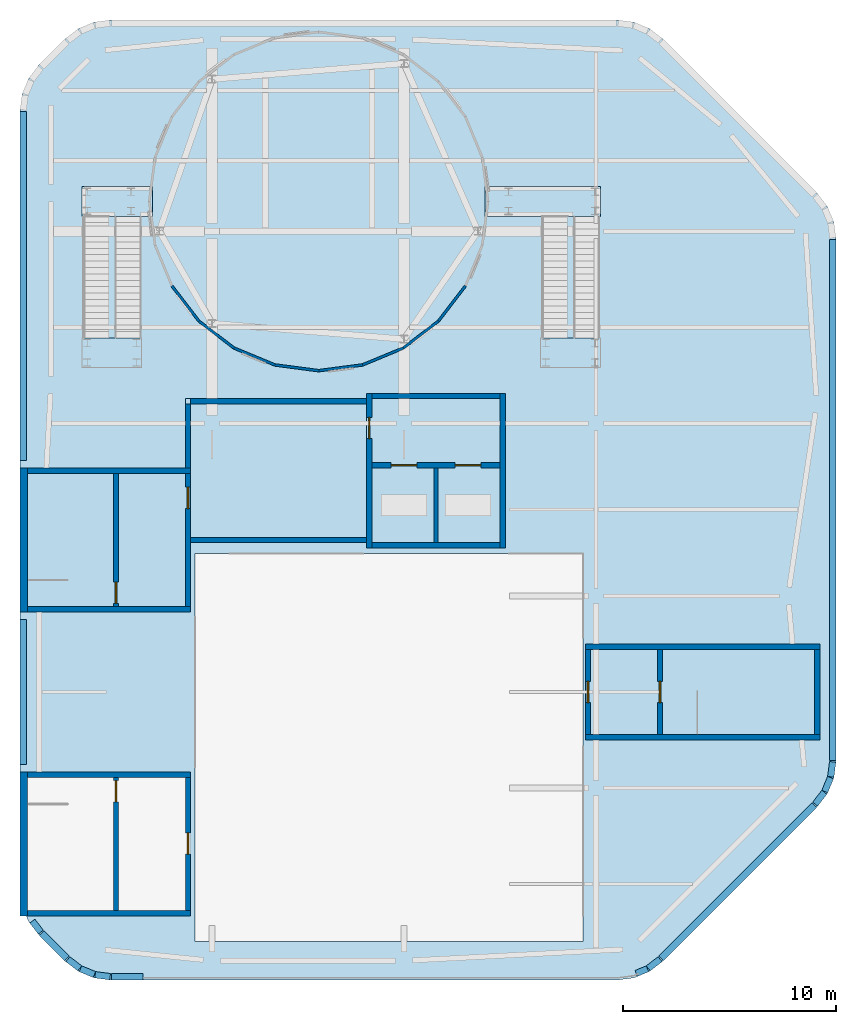
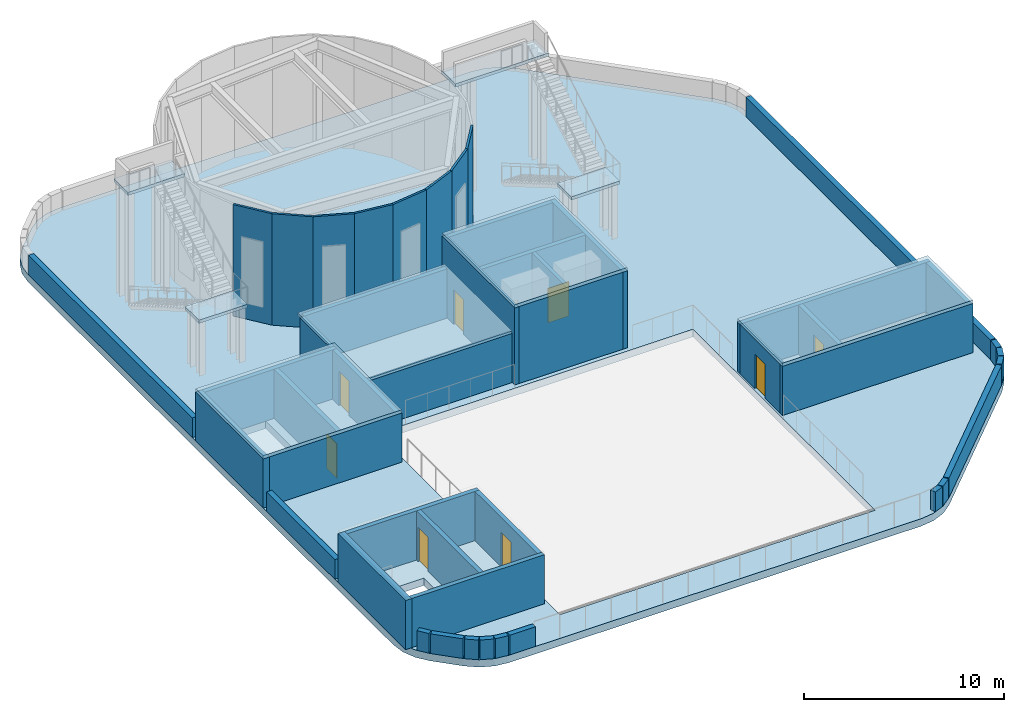
# One storey, part 3 of 6: 47 walls, 9 doors, 9 slabs, 9 openings, 2 elements without a shape of their own.
"""IFC4 building model written with IfcOpenShell, lengths in metres."""

from ifc_helpers import new_model, si_unit, direction, frame, frame_2d, origin, place, context, subcontext, project, spatial, polyline, rectangle, outline, extrude, material, layer, layer_set, type_object, element, fill, aggregate, save


model = new_model("IFC4")

# Units and contexts
model_context = context("Model", 3, precision=1e-05, world=origin(), true_north=direction((0.0, 1.0)))
body_context = subcontext(model_context, "Body", "Model", "MODEL_VIEW")
ifc_project = project(units=[si_unit("LENGTHUNIT", "METRE"), si_unit("AREAUNIT", "SQUARE_METRE"), si_unit("VOLUMEUNIT", "CUBIC_METRE"), si_unit("PLANEANGLEUNIT", "RADIAN"), si_unit("MASSUNIT", "GRAM", prefix="KILO")], contexts=[model_context])

# Site, building, storey
site_placement = place(None, origin())
site = spatial("IfcSite", under=ifc_project, at=site_placement, CompositionType="ELEMENT")
building_placement = place(site_placement, origin())
building = spatial("IfcBuilding", under=site, at=building_placement, Name="Cinnabar Reach Civic Tower", CompositionType="ELEMENT")
storey_placement = place(building_placement, frame((0.0, 0.0, 298.0)))
storey = spatial("IfcBuildingStorey", under=building, at=storey_placement, Name="Roof", CompositionType="ELEMENT", Elevation=298.0)

# Slabs
ifc_material_1 = material(Name="Concrete C40", Category="concrete")
ifc_layer_1 = layer(ifc_material_1, 0.2)
ifc_layer_set_1 = layer_set([ifc_layer_1], Name="Facade head-house roof slab 200")
slab_type_1 = type_object("IfcSlabType", Name="Facade head-house roof slab 200", PredefinedType="ROOF", material=ifc_layer_set_1)
slab_1_placement = place(storey_placement, frame((0.0, 0.0, 3.0)))
element("IfcSlab", 1, at=slab_1_placement, inside=storey, type_object=slab_type_1, Name="Head-house roof slab", PredefinedType="ROOF", context=body_context, shape_type="SweptSolid", body=[
    extrude(outline(polyline([(0.0, 35.25), (8.0, 35.25), (8.0, 42.0), (0.0, 42.0), (0.0, 35.25)])), origin(), (0.0, 0.0, 1.0), 0.2),
])
slab_2_placement = place(storey_placement, frame((0.0, 0.0, 3.0)))
element("IfcSlab", 2, at=slab_2_placement, inside=storey, type_object=slab_type_1, Name="Head-house roof slab", PredefinedType="ROOF", context=body_context, shape_type="SweptSolid", body=[
    extrude(outline(polyline([(26.5, 29.25), (37.5, 29.25), (37.5, 33.75), (26.5, 33.75), (26.5, 29.25)])), origin(), (0.0, 0.0, 1.0), 0.2),
])
slab_3_placement = place(storey_placement, frame((0.0, 0.0, 4.7)))
element("IfcSlab", 3, at=slab_3_placement, inside=storey, type_object=slab_type_1, Name="Head-house roof slab", PredefinedType="ROOF", context=body_context, shape_type="SweptSolid", body=[
    extrude(outline(polyline([(16.25, 38.25), (22.75, 38.25), (22.75, 45.5), (16.25, 45.5), (16.25, 38.25)])), origin(), (0.0, 0.0, 1.0), 0.2),
])
ifc_layer_2 = layer(ifc_material_1, 0.45)
ifc_layer_set_2 = layer_set([ifc_layer_2], Name="Roof slab 450 REI 150")
slab_type_2 = type_object("IfcSlabType", Name="Roof slab 450 REI 150", PredefinedType="ROOF", material=ifc_layer_set_2)
slab_4_placement = place(storey_placement, frame((0.0, 0.0, -0.45)))
element("IfcSlab", 4, at=slab_4_placement, inside=storey, type_object=slab_type_2, Name="Roof slab 450 T1 Roof", PredefinedType="ROOF", context=body_context, shape_type="SweptSolid", body=[
    extrude(outline(polyline([(0.8787, 20.1213), (0.4019, 20.7426), (0.1022, 21.4662), (0.0, 22.2426), (0.0, 58.7574), (0.1022, 59.5338), (0.4019, 60.2574), (0.8787, 60.8787), (2.1213, 62.1213), (2.7426, 62.5981), (3.4662, 62.8978), (4.2426, 63.0), (28.0074, 63.0), (28.7838, 62.8978), (29.5074, 62.5981), (30.1287, 62.1213), (37.3713, 54.8787), (37.8481, 54.2574), (38.1478, 53.5338), (38.25, 52.7574), (38.25, 28.2426), (38.1478, 27.4662), (37.8481, 26.7426), (37.3713, 26.1213), (30.1287, 18.8787), (29.5074, 18.4019), (28.7838, 18.1022), (28.0074, 18.0), (4.2426, 18.0), (3.4662, 18.1022), (2.7426, 18.4019), (2.1213, 18.8787), (0.8787, 20.1213)]), holes=[polyline([(26.4, 38.0), (8.2, 38.0), (8.2, 19.8), (26.4, 19.8), (26.4, 38.0)]), polyline([(0.36, 21.25), (3.9, 21.25), (3.9, 25.948), (0.36, 25.948), (0.36, 21.25)]), polyline([(0.36, 37.052), (3.9, 37.052), (3.9, 41.75), (0.36, 41.75), (0.36, 37.052)]), polyline([(32.052, 29.5), (37.25, 29.5), (37.25, 33.5), (32.052, 33.5), (32.052, 29.5)])]), origin(), (0.0, 0.0, 1.0), 0.45),
])

# Stair, slabs
ifc_material_2 = material(Name="Concrete C40/50", Category="concrete")
stair_type = type_object("IfcStairType", Name="T1 Exit stair, half-turn", PredefinedType="HALF_TURN_STAIR", material=ifc_material_2)
stair_1_placement = place(storey_placement, origin())
stair_1 = element("IfcStair", 5, at=stair_1_placement, inside=storey, type_object=stair_type, Name="Stair T1-RS1", PredefinedType="HALF_TURN_STAIR")
ifc_layer_3 = layer(ifc_material_2, 0.2)
ifc_layer_set_3 = layer_set([ifc_layer_3], Name="T1 Stair landing 200, Concrete C40/50")
slab_type_3 = type_object("IfcSlabType", Name="T1 Stair landing 200, Concrete C40/50", PredefinedType="LANDING", material=ifc_layer_set_3)
slab_5_placement = place(storey_placement, frame((0.0, 0.0, 3.3)))
slab_5 = element("IfcSlab", 6, at=slab_5_placement, type_object=slab_type_3, Name="T1-RS1 landing 1", PredefinedType="LANDING", context=body_context, shape_type="SweptSolid", body=[
    extrude(outline(polyline([(5.7, 46.7), (5.7, 48.1), (2.9, 48.1), (2.9, 46.7), (5.7, 46.7)])), origin(), (0.0, 0.0, 1.0), 0.2),
])
slab_6_placement = place(storey_placement, frame((0.0, 0.0, 6.8)))
slab_6 = element("IfcSlab", 7, at=slab_6_placement, type_object=slab_type_3, Name="T1-RS1 landing 2", PredefinedType="LANDING", context=body_context, shape_type="SweptSolid", body=[
    extrude(outline(polyline([(6.2, 53.8), (6.2, 55.2), (2.9, 55.2), (2.9, 53.8), (6.2, 53.8)])), origin(), (0.0, 0.0, 1.0), 0.2),
])
aggregate(stair_1, [slab_5, slab_6])

stair_2_placement = place(storey_placement, origin())
stair_2 = element("IfcStair", 8, at=stair_2_placement, inside=storey, type_object=stair_type, Name="Stair T1-RS2", PredefinedType="HALF_TURN_STAIR")
slab_7_placement = place(storey_placement, frame((0.0, 0.0, 3.3)))
slab_7 = element("IfcSlab", 9, at=slab_7_placement, type_object=slab_type_3, Name="T1-RS2 landing 1", PredefinedType="LANDING", context=body_context, shape_type="SweptSolid", body=[
    extrude(outline(polyline([(27.2, 46.7), (27.2, 48.1), (24.4, 48.1), (24.4, 46.7), (27.2, 46.7)])), origin(), (0.0, 0.0, 1.0), 0.2),
])
slab_8_placement = place(storey_placement, frame((0.0, 0.0, 6.8)))
slab_8 = element("IfcSlab", 10, at=slab_8_placement, type_object=slab_type_3, Name="T1-RS2 landing 2", PredefinedType="LANDING", context=body_context, shape_type="SweptSolid", body=[
    extrude(outline(polyline([(27.2, 53.8), (27.2, 55.2), (21.8, 55.2), (21.8, 53.8), (27.2, 53.8)])), origin(), (0.0, 0.0, 1.0), 0.2),
])
aggregate(stair_2, [slab_7, slab_8])

# Slab
ifc_layer_4 = layer(ifc_material_1, 0.15)
ifc_layer_set_4 = layer_set([ifc_layer_4], Name="T1 roof walkway slab 150")
slab_type_4 = type_object("IfcSlabType", Name="T1 roof walkway slab 150", PredefinedType="ROOF", material=ifc_layer_set_4)
slab_9_placement = place(storey_placement, frame((0.0, 0.0, 3.0)))
element("IfcSlab", 11, at=slab_9_placement, inside=storey, type_object=slab_type_4, Name="Roof walkway slab", PredefinedType="ROOF", context=body_context, shape_type="SweptSolid", body=[
    extrude(outline(polyline([(8.0, 38.5), (16.25, 38.5), (16.25, 45.25), (7.75, 45.25), (7.75, 42.0), (8.0, 42.0), (8.0, 38.5)])), origin(), (0.0, 0.0, 1.0), 0.15),
])

# Walls
ifc_material_3 = material(Name="Facing brick with insulated backing", Category="masonry")
ifc_layer_5 = layer(ifc_material_3, 0.3)
ifc_layer_set_5 = layer_set([ifc_layer_5], Name="Facade brick parapet")
wall_type_1 = type_object("IfcWallType", Name="Facade brick parapet", PredefinedType="PARAPET", material=ifc_layer_set_5)
for number, where, z_axis, x_axis, name in (
    (12, (2.2444, 18.9733, 0.0), (0.0, 0.0, 1.0), (0.793363639817, -0.60874800617, 0.0), "Brick parapet"),
    (13, (2.837, 18.5252, 0.0), (0.0, 0.0, 1.0), (0.923866021052, -0.382716050285, 0.0), "Brick parapet"),
):
    element("IfcWall", number, at=place(storey_placement, frame(where, z_axis=z_axis, x_axis=x_axis)), inside=storey, type_object=wall_type_1, Name=name, PredefinedType="PARAPET", context=body_context, shape_type="SweptSolid", body=[
        extrude(rectangle(XDim=0.7031, YDim=0.3, at=frame_2d((0.3515, 0.0))), origin(), (0.0, 0.0, 1.0), 1.2),
    ])
wall_1_placement = place(storey_placement, frame((3.5254, 18.2457, 0.0), z_axis=(0.0, 0.0, 1.0), x_axis=(0.991442675262, -0.130542796312, 0.0)))
element("IfcWall", 14, at=wall_1_placement, inside=storey, type_object=wall_type_1, Name="Brick parapet", PredefinedType="PARAPET", context=body_context, shape_type="SweptSolid", body=[
    extrude(rectangle(XDim=0.7032, YDim=0.3, at=frame_2d((0.3516, 0.0))), origin(), (0.0, 0.0, 1.0), 1.2),
])
wall_2_placement = place(storey_placement, frame((4.2826, 18.15, 0.0), z_axis=(0.0, 0.0, 1.0), x_axis=(1.0, 0.0, 0.0)))
element("IfcWall", 15, at=wall_2_placement, inside=storey, type_object=wall_type_1, Name="Brick parapet", PredefinedType="PARAPET", context=body_context, shape_type="SweptSolid", body=[
    extrude(rectangle(XDim=1.4818, YDim=0.3, at=frame_2d((0.7409, 0.0))), origin(), (0.0, 0.0, 1.0), 1.2),
])
wall_3_placement = place(storey_placement, frame((28.8857, 18.3068, 0.0), z_axis=(0.0, 0.0, 1.0), x_axis=(0.923888707417, 0.382661281433, 0.0)))
element("IfcWall", 16, at=wall_3_placement, inside=storey, type_object=wall_type_1, Name="Brick parapet", PredefinedType="PARAPET", context=body_context, shape_type="SweptSolid", body=[
    extrude(rectangle(XDim=0.5707, YDim=0.3, at=frame_2d((0.2853, 0.0))), origin(), (0.0, 0.0, 1.0), 1.2),
])
wall_4_placement = place(storey_placement, frame((29.4478, 18.5453, 0.0), z_axis=(0.0, 0.0, 1.0), x_axis=(0.793363639817, 0.60874800617, 0.0)))
element("IfcWall", 17, at=wall_4_placement, inside=storey, type_object=wall_type_1, Name="Brick parapet", PredefinedType="PARAPET", context=body_context, shape_type="SweptSolid", body=[
    extrude(rectangle(XDim=0.7031, YDim=0.3, at=frame_2d((0.3515, 0.0))), origin(), (0.0, 0.0, 1.0), 1.2),
])
wall_5_placement = place(storey_placement, frame((30.0509, 19.013, 0.0), z_axis=(0.0, 0.0, 1.0), x_axis=(0.707106781187, 0.707106781187, 0.0)))
element("IfcWall", 18, at=wall_5_placement, inside=storey, type_object=wall_type_1, Name="Brick parapet", PredefinedType="PARAPET", context=body_context, shape_type="SweptSolid", body=[
    extrude(rectangle(XDim=10.1627, YDim=0.3, at=frame_2d((5.0813, 0.0))), origin(), (0.0, 0.0, 1.0), 1.2),
])
for number, where, z_axis, x_axis, name in (
    (19, (37.2767, 26.2444, 0.0), (0.0, 0.0, 1.0), (0.60874800617, 0.793363639817, 0.0), "Brick parapet"),
    (20, (37.7248, 26.837, 0.0), (0.0, 0.0, 1.0), (0.382716050285, 0.923866021052, 0.0), "Brick parapet"),
):
    element("IfcWall", number, at=place(storey_placement, frame(where, z_axis=z_axis, x_axis=x_axis)), inside=storey, type_object=wall_type_1, Name=name, PredefinedType="PARAPET", context=body_context, shape_type="SweptSolid", body=[
        extrude(rectangle(XDim=0.7031, YDim=0.3, at=frame_2d((0.3515, 0.0))), origin(), (0.0, 0.0, 1.0), 1.2),
    ])
wall_6_placement = place(storey_placement, frame((38.0043, 27.5254, 0.0), z_axis=(0.0, 0.0, 1.0), x_axis=(0.130542796312, 0.991442675262, 0.0)))
element("IfcWall", 21, at=wall_6_placement, inside=storey, type_object=wall_type_1, Name="Brick parapet", PredefinedType="PARAPET", context=body_context, shape_type="SweptSolid", body=[
    extrude(rectangle(XDim=0.7032, YDim=0.3, at=frame_2d((0.3516, 0.0))), origin(), (0.0, 0.0, 1.0), 1.2),
])
wall_7_placement = place(storey_placement, frame((38.1, 28.2826, 0.0), z_axis=(0.0, 0.0, 1.0), x_axis=(0.0, 1.0, 0.0)))
element("IfcWall", 22, at=wall_7_placement, inside=storey, type_object=wall_type_1, Name="Brick parapet", PredefinedType="PARAPET", context=body_context, shape_type="SweptSolid", body=[
    extrude(rectangle(XDim=24.4348, YDim=0.3, at=frame_2d((12.2174, 0.0))), origin(), (0.0, 0.0, 1.0), 1.2),
])
wall_8_placement = place(storey_placement, frame((0.15, 58.7174, 0.0), z_axis=(0.0, 0.0, 1.0), x_axis=(0.0, -1.0, 0.0)))
element("IfcWall", 23, at=wall_8_placement, inside=storey, type_object=wall_type_1, Name="Brick parapet", PredefinedType="PARAPET", context=body_context, shape_type="SweptSolid", body=[
    extrude(rectangle(XDim=16.3774, YDim=0.3, at=frame_2d((8.1887, 0.0))), origin(), (0.0, 0.0, 1.0), 1.2),
])
wall_9_placement = place(storey_placement, frame((0.15, 34.91, 0.0), z_axis=(0.0, 0.0, 1.0), x_axis=(0.0, -1.0, 0.0)))
element("IfcWall", 24, at=wall_9_placement, inside=storey, type_object=wall_type_1, Name="Brick parapet", PredefinedType="PARAPET", context=body_context, shape_type="SweptSolid", body=[
    extrude(rectangle(XDim=6.82, YDim=0.3, at=frame_2d((3.41, 0.0))), origin(), (0.0, 0.0, 1.0), 1.2),
])
wall_10_placement = place(storey_placement, frame((0.578, 20.7596, 0.0), z_axis=(0.0, 0.0, 1.0), x_axis=(0.608735390594, -0.793373319591, 0.0)))
element("IfcWall", 25, at=wall_10_placement, inside=storey, type_object=wall_type_1, Name="Brick parapet", PredefinedType="PARAPET", context=body_context, shape_type="SweptSolid", body=[
    extrude(rectangle(XDim=0.6494, YDim=0.3, at=frame_2d((0.3247, 0.0))), origin(), (0.0, 0.0, 1.0), 1.2),
])
wall_11_placement = place(storey_placement, frame((1.013, 20.1991, 0.0), z_axis=(0.0, 0.0, 1.0), x_axis=(0.707106781187, -0.707106781187, 0.0)))
element("IfcWall", 26, at=wall_11_placement, inside=storey, type_object=wall_type_1, Name="Brick parapet", PredefinedType="PARAPET", context=body_context, shape_type="SweptSolid", body=[
    extrude(rectangle(XDim=1.6774, YDim=0.3, at=frame_2d((0.8387, 0.0))), origin(), (0.0, 0.0, 1.0), 1.2),
])
ifc_layer_6 = layer(ifc_material_1, 0.2)
ifc_layer_set_6 = layer_set([ifc_layer_6], Name="Facade head-house wall 200")
wall_type_2 = type_object("IfcWallType", Name="Facade head-house wall 200", PredefinedType="STANDARD", material=ifc_layer_set_6)
wall_12_placement = place(storey_placement, frame((19.5, 38.5, 0.0), z_axis=(0.0, 0.0, 1.0), x_axis=(0.0, 1.0, 0.0)))
element("IfcWall", 27, at=wall_12_placement, inside=storey, type_object=wall_type_2, Name="Roof head-house wall", PredefinedType="STANDARD", context=body_context, shape_type="SweptSolid", body=[
    extrude(rectangle(XDim=3.5, YDim=0.2, at=frame_2d((1.75, 0.0))), origin(), (0.0, 0.0, 1.0), 4.7),
])
ifc_layer_7 = layer(ifc_material_1, 0.25)
ifc_layer_set_7 = layer_set([ifc_layer_7], Name="Facade head-house wall 250")
wall_type_3 = type_object("IfcWallType", Name="Facade head-house wall 250", PredefinedType="STANDARD", material=ifc_layer_set_7)
for number, where, z_axis, x_axis, name in (
    (28, (0.36, 21.125, 0.0), (0.0, 0.0, 1.0), (1.0, 0.0, 0.0), "Roof head-house wall"),
    (29, (0.36, 27.625, 0.0), (0.0, 0.0, 1.0), (1.0, 0.0, 0.0), "Roof head-house wall"),
):
    element("IfcWall", number, at=place(storey_placement, frame(where, z_axis=z_axis, x_axis=x_axis)), inside=storey, type_object=wall_type_3, Name=name, PredefinedType="STANDARD", context=body_context, shape_type="SweptSolid", body=[
        extrude(rectangle(XDim=7.64, YDim=0.25, at=frame_2d((3.82, 0.0))), origin(), (0.0, 0.0, 1.0), 3.0),
    ])

# Wall, opening, door
wall_13_placement = place(storey_placement, frame((4.5, 21.25, 0.0), z_axis=(0.0, 0.0, 1.0), x_axis=(0.0, 1.0, 0.0)))
wall_13 = element("IfcWall", 30, at=wall_13_placement, inside=storey, type_object=wall_type_3, Name="Roof head-house wall", PredefinedType="STANDARD", context=body_context, shape_type="SweptSolid", body=[
    extrude(rectangle(XDim=6.25, YDim=0.25, at=frame_2d((3.125, 0.0))), origin(), (0.0, 0.0, 1.0), 3.0),
])
opening_1_placement = place(wall_13_placement, frame((5.1, 0.0, 0.0)))
opening_1 = element("IfcOpeningElement", 31, at=opening_1_placement, cuts=wall_13, Name="Opening D5760", PredefinedType="OPENING", context=body_context, shape_type="SweptSolid", body=[
    extrude(rectangle(XDim=1.0, YDim=2.1, at=frame_2d((0.5, 1.05))), frame((0.0, 0.135, 0.0), z_axis=(0.0, -1.0, 0.0), x_axis=(1.0, 0.0, 0.0)), (0.0, 0.0, 1.0), 0.27),
])
ifc_material_4 = material(Name="Timber door leaf in steel frame", Category="steel")
door_type_1 = type_object("IfcDoorType", Name="Stair door 1000 x 2100 T1", OperationType="SINGLE_SWING_LEFT", PredefinedType="DOOR", material=ifc_material_4)
door_1_placement = place(opening_1_placement, origin())
door_1 = element("IfcDoor", 32, at=door_1_placement, inside=storey, type_object=door_type_1, Name="Door D5760", OperationType="SINGLE_SWING_RIGHT", OverallHeight=2.1, OverallWidth=1.0, PredefinedType="DOOR", context=body_context, shape_type="SweptSolid", body=[
    extrude(rectangle(XDim=1.0, YDim=2.1, at=frame_2d((0.5, 1.05))), frame((0.0, 0.025, 0.0), z_axis=(0.0, -1.0, 0.0), x_axis=(1.0, 0.0, 0.0)), (0.0, 0.0, 1.0), 0.05),
])
fill(opening_1, door_1)

wall_14_placement = place(storey_placement, frame((7.875, 21.25, 0.0), z_axis=(0.0, 0.0, 1.0), x_axis=(0.0, 1.0, 0.0)))
wall_14 = element("IfcWall", 33, at=wall_14_placement, inside=storey, type_object=wall_type_3, Name="Roof head-house wall", PredefinedType="STANDARD", context=body_context, shape_type="SweptSolid", body=[
    extrude(rectangle(XDim=6.25, YDim=0.25, at=frame_2d((3.125, 0.0))), origin(), (0.0, 0.0, 1.0), 3.0),
])
opening_2_placement = place(wall_14_placement, frame((2.65, 0.0, 0.0)))
opening_2 = element("IfcOpeningElement", 34, at=opening_2_placement, cuts=wall_14, Name="Opening D5761", PredefinedType="OPENING", context=body_context, shape_type="SweptSolid", body=[
    extrude(rectangle(XDim=1.0, YDim=2.1, at=frame_2d((0.5, 1.05))), frame((0.0, 0.135, 0.0), z_axis=(0.0, -1.0, 0.0), x_axis=(1.0, 0.0, 0.0)), (0.0, 0.0, 1.0), 0.27),
])
door_type_2 = type_object("IfcDoorType", Name="Single swing door 1000 x 2100 T1", OperationType="SINGLE_SWING_LEFT", PredefinedType="DOOR", material=ifc_material_4)
door_2_placement = place(opening_2_placement, frame((1.0, 0.0, 0.0), z_axis=(0.0, 0.0, 1.0), x_axis=(-1.0, 0.0, 0.0)))
door_2 = element("IfcDoor", 35, at=door_2_placement, inside=storey, type_object=door_type_2, Name="Door D5761", OperationType="SINGLE_SWING_LEFT", OverallHeight=2.1, OverallWidth=1.0, PredefinedType="DOOR", context=body_context, shape_type="SweptSolid", body=[
    extrude(rectangle(XDim=1.0, YDim=2.1, at=frame_2d((0.5, 1.05))), frame((0.0, 0.025, 0.0), z_axis=(0.0, -1.0, 0.0), x_axis=(1.0, 0.0, 0.0)), (0.0, 0.0, 1.0), 0.05),
])
fill(opening_2, door_2)

# Walls
for number, where, z_axis, x_axis, name in (
    (36, (0.36, 35.375, 0.0), (0.0, 0.0, 1.0), (1.0, 0.0, 0.0), "Roof head-house wall"),
    (37, (0.36, 41.875, 0.0), (0.0, 0.0, 1.0), (1.0, 0.0, 0.0), "Roof head-house wall"),
):
    element("IfcWall", number, at=place(storey_placement, frame(where, z_axis=z_axis, x_axis=x_axis)), inside=storey, type_object=wall_type_3, Name=name, PredefinedType="STANDARD", context=body_context, shape_type="SweptSolid", body=[
        extrude(rectangle(XDim=7.64, YDim=0.25, at=frame_2d((3.82, 0.0))), origin(), (0.0, 0.0, 1.0), 3.0),
    ])

# Wall, opening, door
wall_15_placement = place(storey_placement, frame((4.5, 35.5, 0.0), z_axis=(0.0, 0.0, 1.0), x_axis=(0.0, 1.0, 0.0)))
wall_15 = element("IfcWall", 38, at=wall_15_placement, inside=storey, type_object=wall_type_3, Name="Roof head-house wall", PredefinedType="STANDARD", context=body_context, shape_type="SweptSolid", body=[
    extrude(rectangle(XDim=6.25, YDim=0.25, at=frame_2d((3.125, 0.0))), origin(), (0.0, 0.0, 1.0), 3.0),
])
opening_3_placement = place(wall_15_placement, frame((0.15, 0.0, 0.0)))
opening_3 = element("IfcOpeningElement", 39, at=opening_3_placement, cuts=wall_15, Name="Opening D5762", PredefinedType="OPENING", context=body_context, shape_type="SweptSolid", body=[
    extrude(rectangle(XDim=1.0, YDim=2.1, at=frame_2d((0.5, 1.05))), frame((0.0, 0.135, 0.0), z_axis=(0.0, -1.0, 0.0), x_axis=(1.0, 0.0, 0.0)), (0.0, 0.0, 1.0), 0.27),
])
door_3_placement = place(opening_3_placement, origin())
door_3 = element("IfcDoor", 40, at=door_3_placement, inside=storey, type_object=door_type_1, Name="Door D5762", OperationType="SINGLE_SWING_LEFT", OverallHeight=2.1, OverallWidth=1.0, PredefinedType="DOOR", context=body_context, shape_type="SweptSolid", body=[
    extrude(rectangle(XDim=1.0, YDim=2.1, at=frame_2d((0.5, 1.05))), frame((0.0, 0.025, 0.0), z_axis=(0.0, -1.0, 0.0), x_axis=(1.0, 0.0, 0.0)), (0.0, 0.0, 1.0), 0.05),
])
fill(opening_3, door_3)

wall_16_placement = place(storey_placement, frame((7.875, 35.5, 0.0), z_axis=(0.0, 0.0, 1.0), x_axis=(0.0, 1.0, 0.0)))
wall_16 = element("IfcWall", 41, at=wall_16_placement, inside=storey, type_object=wall_type_3, Name="Roof head-house wall", PredefinedType="STANDARD", context=body_context, shape_type="SweptSolid", body=[
    extrude(rectangle(XDim=6.25, YDim=0.25, at=frame_2d((3.125, 0.0))), origin(), (0.0, 0.0, 1.0), 3.0),
])
opening_4_placement = place(wall_16_placement, frame((4.6, 0.0, 0.0)))
opening_4 = element("IfcOpeningElement", 42, at=opening_4_placement, cuts=wall_16, Name="Opening D5763", PredefinedType="OPENING", context=body_context, shape_type="SweptSolid", body=[
    extrude(rectangle(XDim=1.0, YDim=2.1, at=frame_2d((0.5, 1.05))), frame((0.0, 0.135, 0.0), z_axis=(0.0, -1.0, 0.0), x_axis=(1.0, 0.0, 0.0)), (0.0, 0.0, 1.0), 0.27),
])
door_4_placement = place(opening_4_placement, origin())
door_4 = element("IfcDoor", 43, at=door_4_placement, inside=storey, type_object=door_type_2, Name="Door D5763", OperationType="SINGLE_SWING_RIGHT", OverallHeight=2.1, OverallWidth=1.0, PredefinedType="DOOR", context=body_context, shape_type="SweptSolid", body=[
    extrude(rectangle(XDim=1.0, YDim=2.1, at=frame_2d((0.5, 1.05))), frame((0.0, 0.025, 0.0), z_axis=(0.0, -1.0, 0.0), x_axis=(1.0, 0.0, 0.0)), (0.0, 0.0, 1.0), 0.05),
])
fill(opening_4, door_4)

# Walls
for number, where, z_axis, x_axis, name in (
    (44, (26.5, 29.375, 0.0), (0.0, 0.0, 1.0), (1.0, 0.0, 0.0), "Roof head-house wall"),
    (45, (26.5, 33.625, 0.0), (0.0, 0.0, 1.0), (1.0, 0.0, 0.0), "Roof head-house wall"),
):
    element("IfcWall", number, at=place(storey_placement, frame(where, z_axis=z_axis, x_axis=x_axis)), inside=storey, type_object=wall_type_3, Name=name, PredefinedType="STANDARD", context=body_context, shape_type="SweptSolid", body=[
        extrude(rectangle(XDim=11.0, YDim=0.25, at=frame_2d((5.5, 0.0))), origin(), (0.0, 0.0, 1.0), 3.0),
    ])
wall_17_placement = place(storey_placement, frame((37.375, 29.5, 0.0), z_axis=(0.0, 0.0, 1.0), x_axis=(0.0, 1.0, 0.0)))
element("IfcWall", 46, at=wall_17_placement, inside=storey, type_object=wall_type_3, Name="Roof head-house wall", PredefinedType="STANDARD", context=body_context, shape_type="SweptSolid", body=[
    extrude(rectangle(XDim=4.0, YDim=0.25, at=frame_2d((2.0, 0.0))), origin(), (0.0, 0.0, 1.0), 3.0),
])

# Wall, opening, door
wall_18_placement = place(storey_placement, frame((30.0, 29.5, 0.0), z_axis=(0.0, 0.0, 1.0), x_axis=(0.0, 1.0, 0.0)))
wall_18 = element("IfcWall", 47, at=wall_18_placement, inside=storey, type_object=wall_type_3, Name="Roof head-house wall", PredefinedType="STANDARD", context=body_context, shape_type="SweptSolid", body=[
    extrude(rectangle(XDim=4.0, YDim=0.25, at=frame_2d((2.0, 0.0))), origin(), (0.0, 0.0, 1.0), 3.0),
])
opening_5_placement = place(wall_18_placement, frame((1.5, 0.0, 0.0)))
opening_5 = element("IfcOpeningElement", 48, at=opening_5_placement, cuts=wall_18, Name="Opening D5764", PredefinedType="OPENING", context=body_context, shape_type="SweptSolid", body=[
    extrude(rectangle(XDim=1.0, YDim=2.1, at=frame_2d((0.5, 1.05))), frame((0.0, 0.135, 0.0), z_axis=(0.0, -1.0, 0.0), x_axis=(1.0, 0.0, 0.0)), (0.0, 0.0, 1.0), 0.27),
])
door_5_placement = place(opening_5_placement, frame((1.0, 0.0, 0.0), z_axis=(0.0, 0.0, 1.0), x_axis=(-1.0, 0.0, 0.0)))
door_5 = element("IfcDoor", 49, at=door_5_placement, inside=storey, type_object=door_type_1, Name="Door D5764", OperationType="SINGLE_SWING_RIGHT", OverallHeight=2.1, OverallWidth=1.0, PredefinedType="DOOR", context=body_context, shape_type="SweptSolid", body=[
    extrude(rectangle(XDim=1.0, YDim=2.1, at=frame_2d((0.5, 1.05))), frame((0.0, 0.025, 0.0), z_axis=(0.0, -1.0, 0.0), x_axis=(1.0, 0.0, 0.0)), (0.0, 0.0, 1.0), 0.05),
])
fill(opening_5, door_5)

wall_19_placement = place(storey_placement, frame((26.625, 29.5, 0.0), z_axis=(0.0, 0.0, 1.0), x_axis=(0.0, 1.0, 0.0)))
wall_19 = element("IfcWall", 50, at=wall_19_placement, inside=storey, type_object=wall_type_3, Name="Roof head-house wall", PredefinedType="STANDARD", context=body_context, shape_type="SweptSolid", body=[
    extrude(rectangle(XDim=4.0, YDim=0.25, at=frame_2d((2.0, 0.0))), origin(), (0.0, 0.0, 1.0), 3.0),
])
opening_6_placement = place(wall_19_placement, frame((1.5, 0.0, 0.0)))
opening_6 = element("IfcOpeningElement", 51, at=opening_6_placement, cuts=wall_19, Name="Opening D5765", PredefinedType="OPENING", context=body_context, shape_type="SweptSolid", body=[
    extrude(rectangle(XDim=1.0, YDim=2.1, at=frame_2d((0.5, 1.05))), frame((0.0, 0.135, 0.0), z_axis=(0.0, -1.0, 0.0), x_axis=(1.0, 0.0, 0.0)), (0.0, 0.0, 1.0), 0.27),
])
door_6_placement = place(opening_6_placement, origin())
door_6 = element("IfcDoor", 52, at=door_6_placement, inside=storey, type_object=door_type_2, Name="Door D5765", OperationType="SINGLE_SWING_LEFT", OverallHeight=2.1, OverallWidth=1.0, PredefinedType="DOOR", context=body_context, shape_type="SweptSolid", body=[
    extrude(rectangle(XDim=1.0, YDim=2.1, at=frame_2d((0.5, 1.05))), frame((0.0, 0.025, 0.0), z_axis=(0.0, -1.0, 0.0), x_axis=(1.0, 0.0, 0.0)), (0.0, 0.0, 1.0), 0.05),
])
fill(opening_6, door_6)

wall_20_placement = place(storey_placement, frame((16.375, 38.25, 0.0), z_axis=(0.0, 0.0, 1.0), x_axis=(0.0, 1.0, 0.0)))
wall_20 = element("IfcWall", 53, at=wall_20_placement, inside=storey, type_object=wall_type_3, Name="Roof head-house wall", PredefinedType="STANDARD", context=body_context, shape_type="SweptSolid", body=[
    extrude(rectangle(XDim=7.25, YDim=0.25, at=frame_2d((3.625, 0.0))), origin(), (0.0, 0.0, 1.0), 4.7),
])
opening_7_placement = place(wall_20_placement, frame((5.125, 0.0, 0.0)))
opening_7 = element("IfcOpeningElement", 54, at=opening_7_placement, cuts=wall_20, Name="Opening D5768", PredefinedType="OPENING", context=body_context, shape_type="SweptSolid", body=[
    extrude(rectangle(XDim=1.0, YDim=2.1, at=frame_2d((0.5, 1.05))), frame((0.0, 0.135, 0.0), z_axis=(0.0, -1.0, 0.0), x_axis=(1.0, 0.0, 0.0)), (0.0, 0.0, 1.0), 0.27),
])
door_type_3 = type_object("IfcDoorType", Name="Refuge door 1000 x 2100 T1", OperationType="SINGLE_SWING_LEFT", PredefinedType="DOOR", material=ifc_material_4)
door_7_placement = place(opening_7_placement, frame((1.0, 0.0, 0.0), z_axis=(0.0, 0.0, 1.0), x_axis=(-1.0, 0.0, 0.0)))
door_7 = element("IfcDoor", 55, at=door_7_placement, inside=storey, type_object=door_type_3, Name="Door D5768", OperationType="SINGLE_SWING_LEFT", OverallHeight=2.1, OverallWidth=1.0, PredefinedType="DOOR", context=body_context, shape_type="SweptSolid", body=[
    extrude(rectangle(XDim=1.0, YDim=2.1, at=frame_2d((0.5, 1.05))), frame((0.0, 0.025, 0.0), z_axis=(0.0, -1.0, 0.0), x_axis=(1.0, 0.0, 0.0)), (0.0, 0.0, 1.0), 0.05),
])
fill(opening_7, door_7)

# Walls
wall_21_placement = place(storey_placement, frame((22.625, 38.25, 0.0), z_axis=(0.0, 0.0, 1.0), x_axis=(0.0, 1.0, 0.0)))
element("IfcWall", 56, at=wall_21_placement, inside=storey, type_object=wall_type_3, Name="Roof head-house wall", PredefinedType="STANDARD", context=body_context, shape_type="SweptSolid", body=[
    extrude(rectangle(XDim=7.25, YDim=0.25, at=frame_2d((3.625, 0.0))), origin(), (0.0, 0.0, 1.0), 4.7),
])
wall_22_placement = place(storey_placement, frame((16.5, 38.375, 0.0), z_axis=(0.0, 0.0, 1.0), x_axis=(1.0, 0.0, 0.0)))
element("IfcWall", 57, at=wall_22_placement, inside=storey, type_object=wall_type_3, Name="Roof head-house wall", PredefinedType="STANDARD", context=body_context, shape_type="SweptSolid", body=[
    extrude(rectangle(XDim=6.0, YDim=0.25, at=frame_2d((3.0, 0.0))), origin(), (0.0, 0.0, 1.0), 4.7),
])

# Wall, openings, doors
wall_23_placement = place(storey_placement, frame((16.5, 42.125, 0.0), z_axis=(0.0, 0.0, 1.0), x_axis=(1.0, 0.0, 0.0)))
wall_23 = element("IfcWall", 58, at=wall_23_placement, inside=storey, type_object=wall_type_3, Name="Roof head-house wall", PredefinedType="STANDARD", context=body_context, shape_type="SweptSolid", body=[
    extrude(rectangle(XDim=6.0, YDim=0.25, at=frame_2d((3.0, 0.0))), origin(), (0.0, 0.0, 1.0), 4.7),
])
opening_8_placement = place(wall_23_placement, frame((0.9, 0.0, 0.0)))
opening_8 = element("IfcOpeningElement", 59, at=opening_8_placement, cuts=wall_23, Name="Opening D5766", PredefinedType="OPENING", context=body_context, shape_type="SweptSolid", body=[
    extrude(rectangle(XDim=1.2, YDim=2.1, at=frame_2d((0.6, 1.05))), frame((0.0, 0.135, 0.0), z_axis=(0.0, -1.0, 0.0), x_axis=(1.0, 0.0, 0.0)), (0.0, 0.0, 1.0), 0.27),
])
opening_9_placement = place(wall_23_placement, frame((3.9, 0.0, 0.0)))
opening_9 = element("IfcOpeningElement", 60, at=opening_9_placement, cuts=wall_23, Name="Opening D5767", PredefinedType="OPENING", context=body_context, shape_type="SweptSolid", body=[
    extrude(rectangle(XDim=1.2, YDim=2.1, at=frame_2d((0.6, 1.05))), frame((0.0, 0.135, 0.0), z_axis=(0.0, -1.0, 0.0), x_axis=(1.0, 0.0, 0.0)), (0.0, 0.0, 1.0), 0.27),
])
ifc_material_5 = material(Name="Stainless steel sliding door", Category="steel")
door_type_4 = type_object("IfcDoorType", Name="Firefighting lift landing door 1200 x 2100 T1", OperationType="SLIDING_TO_LEFT", PredefinedType="DOOR", material=ifc_material_5)
door_8_placement = place(opening_8_placement, origin())
door_8 = element("IfcDoor", 61, at=door_8_placement, inside=storey, type_object=door_type_4, Name="Lift landing door T1-FF1 Roof", OperationType="SLIDING_TO_LEFT", OverallHeight=2.1, OverallWidth=1.2, PredefinedType="DOOR", context=body_context, shape_type="SweptSolid", body=[
    extrude(rectangle(XDim=1.2, YDim=2.1, at=frame_2d((0.6, 1.05))), frame((0.0, 0.025, 0.0), z_axis=(0.0, -1.0, 0.0), x_axis=(1.0, 0.0, 0.0)), (0.0, 0.0, 1.0), 0.05),
])
fill(opening_8, door_8)
door_9_placement = place(opening_9_placement, origin())
door_9 = element("IfcDoor", 62, at=door_9_placement, inside=storey, type_object=door_type_4, Name="Lift landing door T1-FF2 Roof", OperationType="SLIDING_TO_LEFT", OverallHeight=2.1, OverallWidth=1.2, PredefinedType="DOOR", context=body_context, shape_type="SweptSolid", body=[
    extrude(rectangle(XDim=1.2, YDim=2.1, at=frame_2d((0.6, 1.05))), frame((0.0, 0.025, 0.0), z_axis=(0.0, -1.0, 0.0), x_axis=(1.0, 0.0, 0.0)), (0.0, 0.0, 1.0), 0.05),
])
fill(opening_9, door_9)

# Walls
wall_24_placement = place(storey_placement, frame((16.5, 45.375, 0.0), z_axis=(0.0, 0.0, 1.0), x_axis=(1.0, 0.0, 0.0)))
element("IfcWall", 63, at=wall_24_placement, inside=storey, type_object=wall_type_3, Name="Roof head-house wall", PredefinedType="STANDARD", context=body_context, shape_type="SweptSolid", body=[
    extrude(rectangle(XDim=6.0, YDim=0.25, at=frame_2d((3.0, 0.0))), origin(), (0.0, 0.0, 1.0), 4.7),
])
ifc_layer_8 = layer(ifc_material_1, 0.36)
ifc_layer_set_8 = layer_set([ifc_layer_8], Name="Facade head-house wall 360")
wall_type_4 = type_object("IfcWallType", Name="Facade head-house wall 360", PredefinedType="STANDARD", material=ifc_layer_set_8)
for number, where, z_axis, x_axis, name in (
    (64, (0.18, 21.0, 0.0), (0.0, 0.0, 1.0), (0.0, 1.0, 0.0), "Roof head-house wall"),
    (65, (0.18, 35.25, 0.0), (0.0, 0.0, 1.0), (0.0, 1.0, 0.0), "Roof head-house wall"),
):
    element("IfcWall", number, at=place(storey_placement, frame(where, z_axis=z_axis, x_axis=x_axis)), inside=storey, type_object=wall_type_4, Name=name, PredefinedType="STANDARD", context=body_context, shape_type="SweptSolid", body=[
        extrude(rectangle(XDim=6.75, YDim=0.36, at=frame_2d((3.375, 0.0))), origin(), (0.0, 0.0, 1.0), 3.0),
    ])
ifc_material_6 = material(Name="Aluminium rainscreen cladding", Category="aluminium")
ifc_layer_9 = layer(ifc_material_6, 0.12)
ifc_layer_set_9 = layer_set([ifc_layer_9], Name="Facade plant drum cladding")
wall_type_5 = type_object("IfcWallType", Name="Facade plant drum cladding", PredefinedType="STANDARD", material=ifc_layer_set_9)
for number, where, z_axis, x_axis, name in (
    (66, (7.1194, 50.5365, 0.0), (0.0, 0.0, 1.0), (0.60875921267, -0.793355040943, 0.0), "Plant drum cladding"),
    (67, (8.3797, 48.8907, 0.0), (0.0, 0.0, 1.0), (0.793355040943, -0.60875921267, 0.0), "Plant drum cladding"),
):
    element("IfcWall", number, at=place(storey_placement, frame(where, z_axis=z_axis, x_axis=x_axis)), inside=storey, type_object=wall_type_5, Name=name, PredefinedType="STANDARD", context=body_context, shape_type="SweptSolid", body=[
        extrude(rectangle(XDim=2.0883, YDim=0.12, at=frame_2d((1.0441, 0.0))), origin(), (0.0, 0.0, 1.0), 6.8),
    ])
for number, where, z_axis, x_axis, name in (
    (68, (10.023, 47.6272, 0.0), (0.0, 0.0, 1.0), (0.92387676403, -0.382690116001, 0.0), "Plant drum cladding"),
    (69, (11.9373, 46.8321, 0.0), (0.0, 0.0, 1.0), (0.991444024569, -0.130532548224, 0.0), "Plant drum cladding"),
    (70, (13.9922, 46.5595, 0.0), (0.0, 0.0, 1.0), (0.991444024569, 0.130532548224, 0.0), "Plant drum cladding"),
    (71, (16.0476, 46.828, 0.0), (0.0, 0.0, 1.0), (0.92387676403, 0.382690116001, 0.0), "Plant drum cladding"),
):
    element("IfcWall", number, at=place(storey_placement, frame(where, z_axis=z_axis, x_axis=x_axis)), inside=storey, type_object=wall_type_5, Name=name, PredefinedType="STANDARD", context=body_context, shape_type="SweptSolid", body=[
        extrude(rectangle(XDim=2.0884, YDim=0.12, at=frame_2d((1.0442, 0.0))), origin(), (0.0, 0.0, 1.0), 6.8),
    ])
for number, where, z_axis, x_axis, name in (
    (72, (17.9635, 47.6194, 0.0), (0.0, 0.0, 1.0), (0.793355040943, 0.60875921267, 0.0), "Plant drum cladding"),
    (73, (19.6093, 48.8797, 0.0), (0.0, 0.0, 1.0), (0.60875921267, 0.793355040943, 0.0), "Plant drum cladding"),
):
    element("IfcWall", number, at=place(storey_placement, frame(where, z_axis=z_axis, x_axis=x_axis)), inside=storey, type_object=wall_type_5, Name=name, PredefinedType="STANDARD", context=body_context, shape_type="SweptSolid", body=[
        extrude(rectangle(XDim=2.0883, YDim=0.12, at=frame_2d((1.0441, 0.0))), origin(), (0.0, 0.0, 1.0), 6.8),
    ])
ifc_layer_10 = layer(ifc_material_1, 0.25)
ifc_layer_set_10 = layer_set([ifc_layer_10], Name="T1 roof walkway wall 250")
wall_type_6 = type_object("IfcWallType", Name="T1 roof walkway wall 250", PredefinedType="STANDARD", material=ifc_layer_set_10)
for number, where, z_axis, x_axis, name in (
    (74, (8.0, 38.625, 0.0), (0.0, 0.0, 1.0), (1.0, 0.0, 0.0), "Roof walkway wall"),
    (75, (8.0, 45.125, 0.0), (0.0, 0.0, 1.0), (1.0, 0.0, 0.0), "Roof walkway wall"),
):
    element("IfcWall", number, at=place(storey_placement, frame(where, z_axis=z_axis, x_axis=x_axis)), inside=storey, type_object=wall_type_6, Name=name, PredefinedType="STANDARD", context=body_context, shape_type="SweptSolid", body=[
        extrude(rectangle(XDim=8.25, YDim=0.25, at=frame_2d((4.125, 0.0))), origin(), (0.0, 0.0, 1.0), 3.0),
    ])
wall_25_placement = place(storey_placement, frame((7.875, 42.0, 0.0), z_axis=(0.0, 0.0, 1.0), x_axis=(0.0, 1.0, 0.0)))
element("IfcWall", 76, at=wall_25_placement, inside=storey, type_object=wall_type_6, Name="Roof walkway wall", PredefinedType="STANDARD", context=body_context, shape_type="SweptSolid", body=[
    extrude(rectangle(XDim=3.0, YDim=0.25, at=frame_2d((1.5, 0.0))), origin(), (0.0, 0.0, 1.0), 3.0),
])

save(model, "model.ifc")
